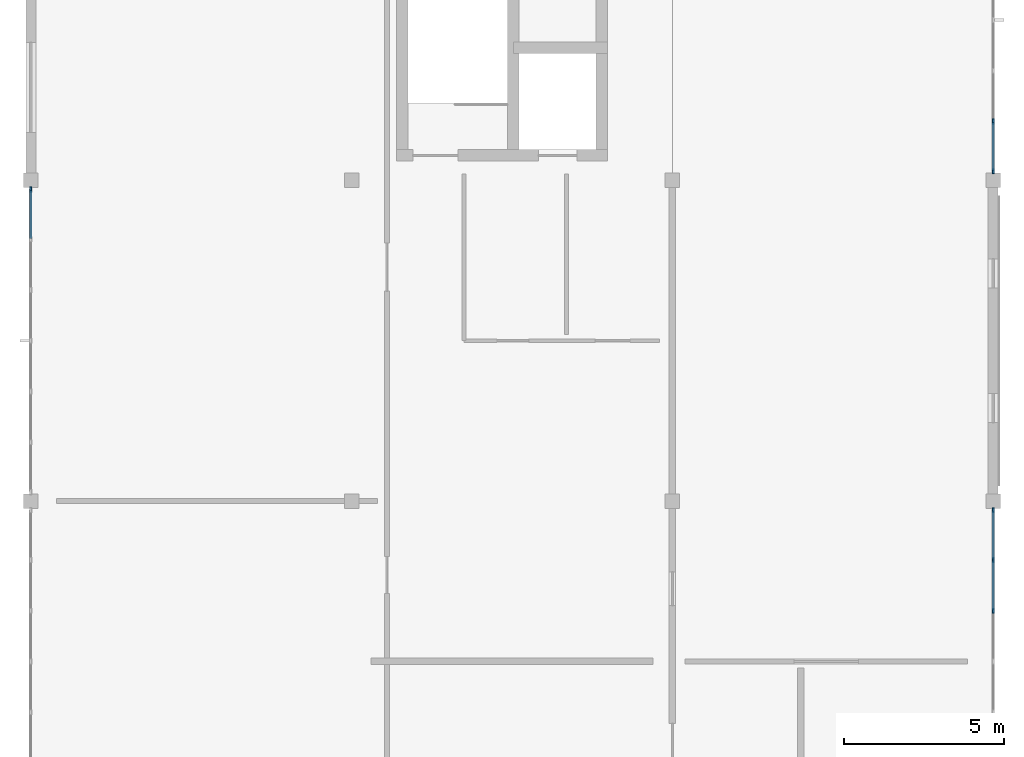
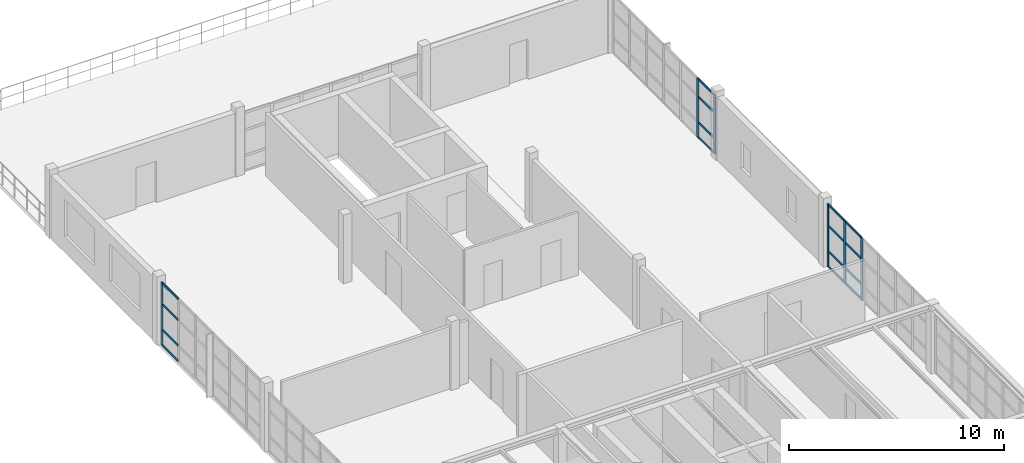
# One storey, part 5 of 11: 22 members, 3 elements without a shape of their own.
"""IFC4 building model written with IfcOpenShell, lengths in metres."""

from ifc_helpers import new_model, si_unit, direction, frame, origin, origin_2d, place, context, subcontext, project, spatial, rectangle, extrude, material, layer, layer_set, material_profile, profile_set, type_object, element, aggregate, save


model = new_model("IFC4")

# Units and contexts
model_context = context("Model", 3, precision=1e-05, world=origin(), true_north=direction((0.0, 1.0)))
body_context = subcontext(model_context, "Body", "Model", "MODEL_VIEW")
ifc_project = project(units=[si_unit("LENGTHUNIT", "METRE"), si_unit("AREAUNIT", "SQUARE_METRE"), si_unit("VOLUMEUNIT", "CUBIC_METRE"), si_unit("PLANEANGLEUNIT", "RADIAN"), si_unit("MASSUNIT", "GRAM", prefix="KILO"), si_unit("THERMODYNAMICTEMPERATUREUNIT", "KELVIN"), si_unit("POWERUNIT", "WATT")], contexts=[model_context])

# Site, building, storey
site_placement = place(None, origin())
site = spatial("IfcSite", under=ifc_project, at=site_placement, CompositionType="ELEMENT")
building_placement = place(site_placement, origin())
building = spatial("IfcBuilding", under=site, at=building_placement, Name="Korenveer Ferry Terminal", CompositionType="ELEMENT")
storey_placement = place(building_placement, frame((0.0, 0.0, 18.300048828125)))
storey = spatial("IfcBuildingStorey", under=building, at=storey_placement, Name="L04", CompositionType="ELEMENT", Elevation=18.300048828125)

# Curtain wall, member
ifc_material_1 = material(Name="Unitised bronze-and-glass curtain wall", Category="glass")
ifc_layer_1 = layer(ifc_material_1, 0.159912109375)
ifc_layer_set_1 = layer_set([ifc_layer_1], Name="Unitised bronze-and-glass curtain wall")
curtain_wall_type_1 = type_object("IfcCurtainWallType", Name="ENV-CW-132", PredefinedType="USERDEFINED", material=ifc_layer_set_1)
curtain_wall_1_placement = place(storey_placement, frame((0.0, 40.2548828125, 0.0)))
curtain_wall_1 = element("IfcCurtainWall", 1, at=curtain_wall_1_placement, inside=storey, type_object=curtain_wall_type_1, Name="Lancet curtain wall CWX-L04-X0-0-Y40-50", ObjectType="UNITISED CURTAIN WALL", PredefinedType="USERDEFINED")
ifc_material_2 = material(Name="Anodised bronze aluminium", Category="aluminium")
ifc_material_profile_1 = material_profile(ifc_material_2, rectangle(XDim=0.06005859375, YDim=0.159912109375, at=origin_2d()), Name="ALU 60x160")
ifc_profile_set_1 = profile_set([ifc_material_profile_1], Name="Anodised bronze aluminium")
member_type_1 = type_object("IfcMemberType", Name="ENV-CWM-60X160", PredefinedType="MULLION", material=ifc_profile_set_1)
member_1_placement = place(storey_placement, frame((0.0, 49.715087890625, 0.0), z_axis=(0.0, 0.0, 1.0), x_axis=(-1.0, 0.0, 0.0)))
member_1 = element("IfcMember", 2, at=member_1_placement, type_object=member_type_1, Name="CW-132 mullion 7", PredefinedType="MULLION", context=body_context, shape_type="SweptSolid", body=[
    extrude(rectangle(XDim=0.06005859375, YDim=0.159912109375, at=origin_2d()), origin(), (0.0, 0.0, 1.0), 3.56005859375),
])

# Curtain wall, members
curtain_wall_2_placement = place(storey_placement, frame((30.0, 39.7451171875, 0.0)))
curtain_wall_2 = element("IfcCurtainWall", 3, at=curtain_wall_2_placement, inside=storey, type_object=curtain_wall_type_1, Name="Lancet curtain wall CWX-L04-X30-30-Y30-40", ObjectType="UNITISED CURTAIN WALL", PredefinedType="USERDEFINED")
member_2_placement = place(storey_placement, frame((30.0, 39.715087890625, 0.0), z_axis=(0.0, 0.0, 1.0), x_axis=(1.0, 0.0, 0.0)))
member_2 = element("IfcMember", 4, at=member_2_placement, type_object=member_type_1, Name="CW-132 mullion 1", PredefinedType="MULLION", context=body_context, shape_type="SweptSolid", body=[
    extrude(rectangle(XDim=0.06005859375, YDim=0.159912109375, at=origin_2d()), origin(), (0.0, 0.0, 1.0), 3.56005859375),
])
member_3_placement = place(storey_placement, frame((30.0, 38.163330078125, 0.0), z_axis=(0.0, 0.0, 1.0), x_axis=(1.0, 0.0, 0.0)))
member_3 = element("IfcMember", 5, at=member_3_placement, type_object=member_type_1, Name="CW-132 mullion 2", PredefinedType="MULLION", context=body_context, shape_type="SweptSolid", body=[
    extrude(rectangle(XDim=0.06005859375, YDim=0.159912109375, at=origin_2d()), origin(), (0.0, 0.0, 1.0), 3.56005859375),
])
member_4_placement = place(storey_placement, frame((30.0, 36.581787109375, 0.0), z_axis=(0.0, 0.0, 1.0), x_axis=(1.0, 0.0, 0.0)))
member_4 = element("IfcMember", 6, at=member_4_placement, type_object=member_type_1, Name="CW-132 mullion 3", PredefinedType="MULLION", context=body_context, shape_type="SweptSolid", body=[
    extrude(rectangle(XDim=0.06005859375, YDim=0.159912109375, at=origin_2d()), origin(), (0.0, 0.0, 1.0), 3.56005859375),
])

ifc_layer_2 = layer(ifc_material_1, 0.159912109375)
ifc_layer_set_2 = layer_set([ifc_layer_2], Name="Unitised bronze-and-glass curtain wall")
curtain_wall_type_2 = type_object("IfcCurtainWallType", Name="ENV-CW-131", PredefinedType="USERDEFINED", material=ifc_layer_set_2)
curtain_wall_3_placement = place(storey_placement, frame((30.0, 59.7451171875, 0.0)))
curtain_wall_3 = element("IfcCurtainWall", 7, at=curtain_wall_3_placement, inside=storey, type_object=curtain_wall_type_2, Name="Lancet curtain wall CWX-L04-X30-30-Y50-60", ObjectType="UNITISED CURTAIN WALL", PredefinedType="USERDEFINED")
member_5_placement = place(storey_placement, frame((30.0, 51.836669921875, 0.0), z_axis=(0.0, 0.0, 1.0), x_axis=(1.0, 0.0, 0.0)))
member_5 = element("IfcMember", 8, at=member_5_placement, type_object=member_type_1, Name="CW-131 mullion 6", PredefinedType="MULLION", context=body_context, shape_type="SweptSolid", body=[
    extrude(rectangle(XDim=0.06005859375, YDim=0.159912109375, at=origin_2d()), origin(), (0.0, 0.0, 1.0), 3.35986328125),
])
member_6_placement = place(storey_placement, frame((30.0, 50.284912109375, 0.0), z_axis=(0.0, 0.0, 1.0), x_axis=(1.0, 0.0, 0.0)))
member_6 = element("IfcMember", 9, at=member_6_placement, type_object=member_type_1, Name="CW-131 mullion 7", PredefinedType="MULLION", context=body_context, shape_type="SweptSolid", body=[
    extrude(rectangle(XDim=0.06005859375, YDim=0.159912109375, at=origin_2d()), origin(), (0.0, 0.0, 1.0), 3.35986328125),
])

# Member
ifc_material_profile_2 = material_profile(ifc_material_2, rectangle(XDim=0.06005859375, YDim=0.1201171875, at=origin_2d()), Name="ALU 60x120")
ifc_profile_set_2 = profile_set([ifc_material_profile_2], Name="Anodised bronze aluminium")
member_type_2 = type_object("IfcMemberType", Name="ENV-CWT-60X120", PredefinedType="USERDEFINED", material=ifc_profile_set_2)
member_7_placement = place(storey_placement, frame((0.0, 48.193359375, 0.030029296875), z_axis=(0.0, 1.0, 0.0), x_axis=(-1.0, 0.0, 0.0)))
member_7 = element("IfcMember", 10, at=member_7_placement, type_object=member_type_2, Name="CW-132 transom 6.1", ObjectType="TRANSOM", PredefinedType="USERDEFINED", context=body_context, shape_type="SweptSolid", body=[
    extrude(rectangle(XDim=0.06005859375, YDim=0.1201171875, at=origin_2d()), origin(), (0.0, 0.0, 1.0), 1.49169921875),
])

member_8_placement = place(storey_placement, frame((0.0, 48.193359375, 0.89990234375), z_axis=(0.0, 1.0, 0.0), x_axis=(-1.0, 0.0, 0.0)))
member_8 = element("IfcMember", 11, at=member_8_placement, type_object=member_type_2, Name="CW-132 transom 6.2", ObjectType="TRANSOM", PredefinedType="USERDEFINED", context=body_context, shape_type="SweptSolid", body=[
    extrude(rectangle(XDim=0.06005859375, YDim=0.1201171875, at=origin_2d()), origin(), (0.0, 0.0, 1.0), 1.49169921875),
])

member_9_placement = place(storey_placement, frame((0.0, 48.193359375, 2.349853515625), z_axis=(0.0, 1.0, 0.0), x_axis=(-1.0, 0.0, 0.0)))
member_9 = element("IfcMember", 12, at=member_9_placement, type_object=member_type_2, Name="CW-132 transom 6.3", ObjectType="TRANSOM", PredefinedType="USERDEFINED", context=body_context, shape_type="SweptSolid", body=[
    extrude(rectangle(XDim=0.06005859375, YDim=0.1201171875, at=origin_2d()), origin(), (0.0, 0.0, 1.0), 1.49169921875),
])

member_10_placement = place(storey_placement, frame((0.0, 48.193359375, 3.530029296875), z_axis=(0.0, 1.0, 0.0), x_axis=(-1.0, 0.0, 0.0)))
member_10 = element("IfcMember", 13, at=member_10_placement, type_object=member_type_2, Name="CW-132 transom 6.4", ObjectType="TRANSOM", PredefinedType="USERDEFINED", context=body_context, shape_type="SweptSolid", body=[
    extrude(rectangle(XDim=0.06005859375, YDim=0.1201171875, at=origin_2d()), origin(), (0.0, 0.0, 1.0), 1.49169921875),
])

aggregate(curtain_wall_1, [member_1, member_7, member_8, member_9, member_10])

member_11_placement = place(storey_placement, frame((30.0, 39.68505859375, 0.030029296875), z_axis=(0.0, -1.0, 0.0), x_axis=(1.0, 0.0, 0.0)))
member_11 = element("IfcMember", 14, at=member_11_placement, type_object=member_type_2, Name="CW-132 transom 1.1", ObjectType="TRANSOM", PredefinedType="USERDEFINED", context=body_context, shape_type="SweptSolid", body=[
    extrude(rectangle(XDim=0.06005859375, YDim=0.1201171875, at=origin_2d()), origin(), (0.0, 0.0, 1.0), 1.49169921875),
])

member_12_placement = place(storey_placement, frame((30.0, 39.68505859375, 0.89990234375), z_axis=(0.0, -1.0, 0.0), x_axis=(1.0, 0.0, 0.0)))
member_12 = element("IfcMember", 15, at=member_12_placement, type_object=member_type_2, Name="CW-132 transom 1.2", ObjectType="TRANSOM", PredefinedType="USERDEFINED", context=body_context, shape_type="SweptSolid", body=[
    extrude(rectangle(XDim=0.06005859375, YDim=0.1201171875, at=origin_2d()), origin(), (0.0, 0.0, 1.0), 1.49169921875),
])

member_13_placement = place(storey_placement, frame((30.0, 39.68505859375, 2.349853515625), z_axis=(0.0, -1.0, 0.0), x_axis=(1.0, 0.0, 0.0)))
member_13 = element("IfcMember", 16, at=member_13_placement, type_object=member_type_2, Name="CW-132 transom 1.3", ObjectType="TRANSOM", PredefinedType="USERDEFINED", context=body_context, shape_type="SweptSolid", body=[
    extrude(rectangle(XDim=0.06005859375, YDim=0.1201171875, at=origin_2d()), origin(), (0.0, 0.0, 1.0), 1.49169921875),
])

member_14_placement = place(storey_placement, frame((30.0, 39.68505859375, 3.530029296875), z_axis=(0.0, -1.0, 0.0), x_axis=(1.0, 0.0, 0.0)))
member_14 = element("IfcMember", 17, at=member_14_placement, type_object=member_type_2, Name="CW-132 transom 1.4", ObjectType="TRANSOM", PredefinedType="USERDEFINED", context=body_context, shape_type="SweptSolid", body=[
    extrude(rectangle(XDim=0.06005859375, YDim=0.1201171875, at=origin_2d()), origin(), (0.0, 0.0, 1.0), 1.49169921875),
])

member_15_placement = place(storey_placement, frame((30.0, 38.13330078125, 0.030029296875), z_axis=(0.0, -1.0, 0.0), x_axis=(1.0, 0.0, 0.0)))
member_15 = element("IfcMember", 18, at=member_15_placement, type_object=member_type_2, Name="CW-132 transom 2.1", ObjectType="TRANSOM", PredefinedType="USERDEFINED", context=body_context, shape_type="SweptSolid", body=[
    extrude(rectangle(XDim=0.06005859375, YDim=0.1201171875, at=origin_2d()), origin(), (0.0, 0.0, 1.0), 1.521728515625),
])

member_16_placement = place(storey_placement, frame((30.0, 38.13330078125, 0.89990234375), z_axis=(0.0, -1.0, 0.0), x_axis=(1.0, 0.0, 0.0)))
member_16 = element("IfcMember", 19, at=member_16_placement, type_object=member_type_2, Name="CW-132 transom 2.2", ObjectType="TRANSOM", PredefinedType="USERDEFINED", context=body_context, shape_type="SweptSolid", body=[
    extrude(rectangle(XDim=0.06005859375, YDim=0.1201171875, at=origin_2d()), origin(), (0.0, 0.0, 1.0), 1.521728515625),
])

member_17_placement = place(storey_placement, frame((30.0, 38.13330078125, 2.349853515625), z_axis=(0.0, -1.0, 0.0), x_axis=(1.0, 0.0, 0.0)))
member_17 = element("IfcMember", 20, at=member_17_placement, type_object=member_type_2, Name="CW-132 transom 2.3", ObjectType="TRANSOM", PredefinedType="USERDEFINED", context=body_context, shape_type="SweptSolid", body=[
    extrude(rectangle(XDim=0.06005859375, YDim=0.1201171875, at=origin_2d()), origin(), (0.0, 0.0, 1.0), 1.521728515625),
])

member_18_placement = place(storey_placement, frame((30.0, 38.13330078125, 3.530029296875), z_axis=(0.0, -1.0, 0.0), x_axis=(1.0, 0.0, 0.0)))
member_18 = element("IfcMember", 21, at=member_18_placement, type_object=member_type_2, Name="CW-132 transom 2.4", ObjectType="TRANSOM", PredefinedType="USERDEFINED", context=body_context, shape_type="SweptSolid", body=[
    extrude(rectangle(XDim=0.06005859375, YDim=0.1201171875, at=origin_2d()), origin(), (0.0, 0.0, 1.0), 1.521728515625),
])

aggregate(curtain_wall_2, [member_2, member_3, member_4, member_11, member_12, member_13, member_14, member_15, member_16, member_17, member_18])

member_19_placement = place(storey_placement, frame((30.0, 51.806640625, 0.030029296875), z_axis=(0.0, -1.0, 0.0), x_axis=(1.0, 0.0, 0.0)))
member_19 = element("IfcMember", 22, at=member_19_placement, type_object=member_type_2, Name="CW-131 transom 6.1", ObjectType="TRANSOM", PredefinedType="USERDEFINED", context=body_context, shape_type="SweptSolid", body=[
    extrude(rectangle(XDim=0.06005859375, YDim=0.1201171875, at=origin_2d()), origin(), (0.0, 0.0, 1.0), 1.49169921875),
])

member_20_placement = place(storey_placement, frame((30.0, 51.806640625, 0.89990234375), z_axis=(0.0, -1.0, 0.0), x_axis=(1.0, 0.0, 0.0)))
member_20 = element("IfcMember", 23, at=member_20_placement, type_object=member_type_2, Name="CW-131 transom 6.2", ObjectType="TRANSOM", PredefinedType="USERDEFINED", context=body_context, shape_type="SweptSolid", body=[
    extrude(rectangle(XDim=0.06005859375, YDim=0.1201171875, at=origin_2d()), origin(), (0.0, 0.0, 1.0), 1.49169921875),
])

member_21_placement = place(storey_placement, frame((30.0, 51.806640625, 2.349853515625), z_axis=(0.0, -1.0, 0.0), x_axis=(1.0, 0.0, 0.0)))
member_21 = element("IfcMember", 24, at=member_21_placement, type_object=member_type_2, Name="CW-131 transom 6.3", ObjectType="TRANSOM", PredefinedType="USERDEFINED", context=body_context, shape_type="SweptSolid", body=[
    extrude(rectangle(XDim=0.06005859375, YDim=0.1201171875, at=origin_2d()), origin(), (0.0, 0.0, 1.0), 1.49169921875),
])

member_22_placement = place(storey_placement, frame((30.0, 51.806640625, 3.329833984375), z_axis=(0.0, -1.0, 0.0), x_axis=(1.0, 0.0, 0.0)))
member_22 = element("IfcMember", 25, at=member_22_placement, type_object=member_type_2, Name="CW-131 transom 6.4", ObjectType="TRANSOM", PredefinedType="USERDEFINED", context=body_context, shape_type="SweptSolid", body=[
    extrude(rectangle(XDim=0.06005859375, YDim=0.1201171875, at=origin_2d()), origin(), (0.0, 0.0, 1.0), 1.49169921875),
])

aggregate(curtain_wall_3, [member_5, member_6, member_19, member_20, member_21, member_22])

save(model, "model.ifc")
